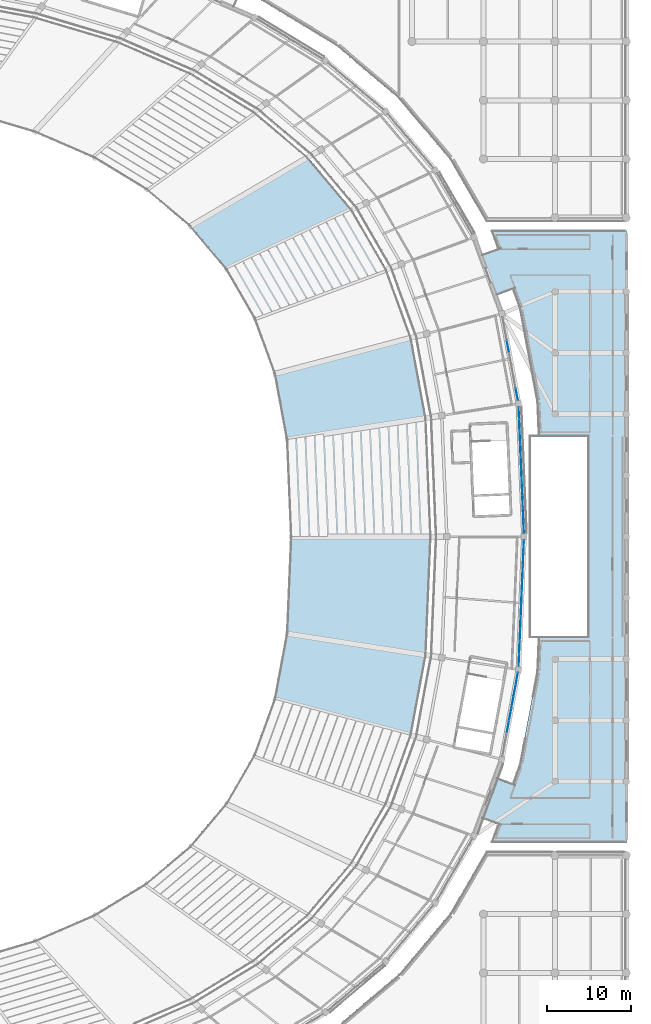
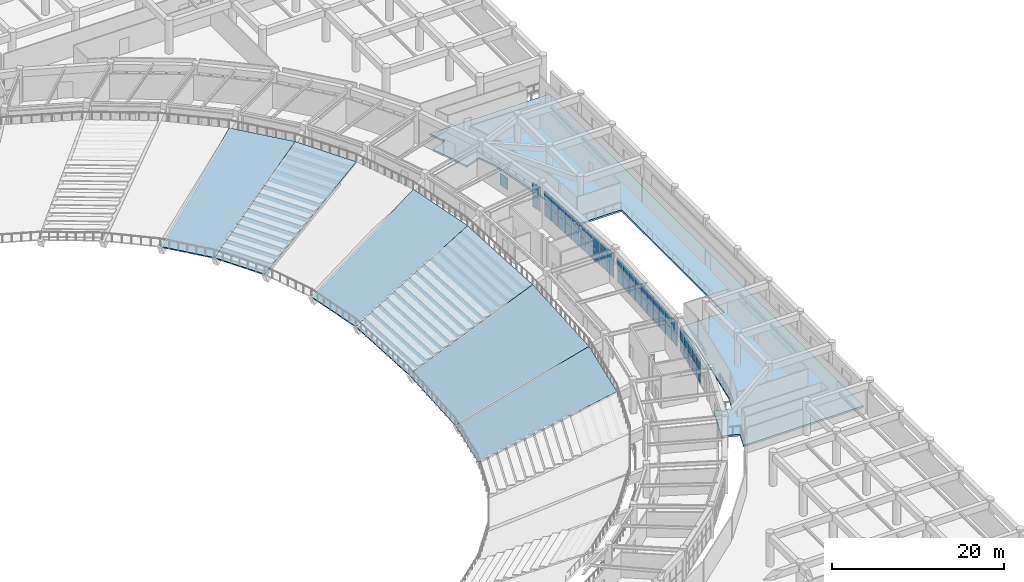
# One storey, part 82 of 137: 53 plates, 7 slabs, 4 elements without a shape of their own.
"""IFC4 building model written with IfcOpenShell, lengths in metres."""

import ifcopenshell
import ifcopenshell.guid

model = None  # the IFC model being written
_history = None  # IfcOwnerHistory: only IFC2X3 demands one
_inside = {}  # id of a spatial element -> (the spatial element, [elements in it])
_under = {}  # id of a project, library or spatial element -> (it, [spatial elements below it])
_declared = {}  # id of a project -> (the project, [libraries it declares])
_typed = {}  # id of a type object -> (the type object, [elements of that type])
_made_of = {}  # id of a material, layer set ... -> (it, [elements and type objects made of it])


def new_model(schema):
    """Start an empty IFC model of exactly this schema.

    Asked for "IFC4X3", IfcOpenShell would pick the latest addendum, in which some entities
    have other attributes; the version numbers below select the first issue.
    IFC2X3 requires an IfcOwnerHistory on every rooted entity: one is made here for all.
    """
    global model, _history
    if schema == "IFC4X3":
        model = ifcopenshell.file(schema_version=(4, 3, 0, 0))
    else:
        model = ifcopenshell.file(schema=schema)
    _inside.clear()
    _under.clear()
    _declared.clear()
    _typed.clear()
    _made_of.clear()
    _history = None
    if model.schema == "IFC2X3":
        org = make("IfcOrganization", Name="unknown")
        user = make(
            "IfcPersonAndOrganization",
            ThePerson=make("IfcPerson", FamilyName="unknown"),
            TheOrganization=org,
        )
        app = make(
            "IfcApplication",
            ApplicationDeveloper=org,
            Version="unknown",
            ApplicationFullName="unknown",
            ApplicationIdentifier="unknown",
        )
        _history = make(
            "IfcOwnerHistory",
            OwningUser=user,
            OwningApplication=app,
            ChangeAction="ADDED",
            CreationDate=0,
        )
    return model


def make(cls, **values):
    """One entity of the class cls with the attributes given. An attribute that is None is left unset."""
    return model.create_entity(
        cls, **{name: value for name, value in values.items() if value is not None}
    )


def rooted(cls, **values):
    """An entity with a GlobalId (a new one), such as an element, a storey or a relation."""
    return make(cls, GlobalId=ifcopenshell.guid.new(), OwnerHistory=_history, **values)


def si_unit(unit_type, name, prefix=None):
    """IfcSIUnit, for example si_unit("LENGTHUNIT", "METRE", prefix="MILLI")."""
    return make("IfcSIUnit", UnitType=unit_type, Prefix=prefix, Name=name)


def assignment(units):
    """IfcUnitAssignment: the units of a project."""
    return None if units is None else make("IfcUnitAssignment", Units=units)


def point(xyz):
    """IfcCartesianPoint."""
    return None if xyz is None else make("IfcCartesianPoint", Coordinates=xyz)


def direction(xyz):
    """IfcDirection."""
    return None if xyz is None else make("IfcDirection", DirectionRatios=xyz)


def frame(location, z_axis=None, x_axis=None):
    """IfcAxis2Placement3D, a coordinate frame: its origin and axes. An axis left out is left unset."""
    return make(
        "IfcAxis2Placement3D",
        Location=point(location),
        Axis=direction(z_axis),
        RefDirection=direction(x_axis),
    )


def frame_2d(location, x_axis=None):
    """IfcAxis2Placement2D, a coordinate frame in the plane: its origin and x axis."""
    return make(
        "IfcAxis2Placement2D", Location=point(location), RefDirection=direction(x_axis)
    )


def origin():
    """The frame at (0, 0, 0) with its axes left unset."""
    return frame((0.0, 0.0, 0.0))


def origin_2d():
    """The frame at (0, 0) in the plane with its x axis left unset."""
    return frame_2d((0.0, 0.0))


def place(relative_to, where):
    """IfcLocalPlacement: puts the frame where relative to a parent placement (None: the world)."""
    return make(
        "IfcLocalPlacement", PlacementRelTo=relative_to, RelativePlacement=where
    )


def context(
    kind, dimensions, precision=None, world=None, true_north=None, identifier=None
):
    """IfcGeometricRepresentationContext, for example the 3D "Model" context."""
    return make(
        "IfcGeometricRepresentationContext",
        ContextIdentifier=identifier,
        ContextType=kind,
        CoordinateSpaceDimension=dimensions,
        Precision=precision,
        WorldCoordinateSystem=world,
        TrueNorth=true_north,
    )


def subcontext(parent, identifier, kind, view, scale=None):
    """IfcGeometricRepresentationSubContext, for example "Body" below "Model"."""
    return make(
        "IfcGeometricRepresentationSubContext",
        ContextIdentifier=identifier,
        ContextType=kind,
        ParentContext=parent,
        TargetScale=scale,
        TargetView=view,
    )


def project(units=None, contexts=None):
    """IfcProject with its units and contexts."""
    return rooted(
        "IfcProject",
        Name="project",
        RepresentationContexts=contexts,
        UnitsInContext=assignment(units),
    )


def spatial(cls, under=None, at=None, **own):
    """A site, building, storey or space (cls), placed at a placement, below another one or the project."""
    s = rooted(cls, ObjectPlacement=at, **own)
    if under is not None:
        _under.setdefault(under.id(), (under, []))[1].append(s)
    return s


def polyline(points):
    """IfcPolyline through the points."""
    return make("IfcPolyline", Points=[point(p) for p in points])


def profile(cls, at=None, kind="AREA", **sizes):
    """A parametric profile (cls). Its sizes go by their IFC names, for example OverallWidth=200.0."""
    return make(cls, ProfileType=kind, Position=at, **sizes)


def rectangle(**sizes):
    """IfcRectangleProfileDef."""
    return profile("IfcRectangleProfileDef", **sizes)


def outline(outer, holes=None, kind="AREA"):
    """IfcArbitraryClosedProfileDef: a profile drawn as a closed curve; with holes, ...WithVoids."""
    if holes is None:
        return make("IfcArbitraryClosedProfileDef", ProfileType=kind, OuterCurve=outer)
    return make(
        "IfcArbitraryProfileDefWithVoids",
        ProfileType=kind,
        OuterCurve=outer,
        InnerCurves=holes,
    )


def extrude(swept, where, along, depth):
    """IfcExtrudedAreaSolid: the profile swept, set in the frame where, extruded along a direction by depth."""
    return make(
        "IfcExtrudedAreaSolid",
        SweptArea=swept,
        Position=where,
        ExtrudedDirection=direction(along),
        Depth=depth,
    )


def shape(context_of_items, identifier, shape_type, items):
    """IfcShapeRepresentation: the items that make up one representation, for example the "Body"."""
    return make(
        "IfcShapeRepresentation",
        ContextOfItems=context_of_items,
        RepresentationIdentifier=identifier,
        RepresentationType=shape_type,
        Items=items,
    )


def material(Name=None, Category=None):
    """IfcMaterial."""
    return make("IfcMaterial", Name=Name, Category=Category)


def layer(
    of_material, thickness, ventilated=None, Name=None, Category=None, Priority=None
):
    """IfcMaterialLayer: one layer of a wall or slab, of a material (None: an air gap)."""
    return make(
        "IfcMaterialLayer",
        Material=of_material,
        LayerThickness=thickness,
        IsVentilated=ventilated,
        Name=Name,
        Category=Category,
        Priority=Priority,
    )


def layer_set(layers, Name=None):
    """IfcMaterialLayerSet."""
    return make("IfcMaterialLayerSet", MaterialLayers=layers, LayerSetName=Name)


def made_of(thing, what):
    """Note that an element or type object is made of a material, layer set ...; save() writes the relation."""
    if what is not None:
        _made_of.setdefault(what.id(), (what, []))[1].append(thing)
    return thing


def type_object(cls, material=None, **own):
    """A type object (cls), such as IfcWallType, which elements share."""
    return made_of(rooted(cls, **own), material)


def element(
    cls,
    number,
    at=None,
    inside=None,
    cuts=None,
    type_object=None,
    material=None,
    context=None,
    identifier="Body",
    shape_type=None,
    held_by="IfcProductDefinitionShape",
    body=None,
    shapes=None,
    **own,
):
    """One element of the class cls, such as IfcWall. Its Tag is "e" and its number.

    at: its placement. inside: the storey or other place that contains it. cuts: it is an
    opening in that element (IfcRelVoidsElement). A single representation is given by context,
    identifier, shape_type and body (its items); several are given by shapes. held_by: the class
    of the entity that holds the representations. save() writes the other relations.
    """
    e = rooted(cls, Tag="e%d" % number, ObjectPlacement=at, **own)
    if body is not None:
        shapes = [shape(context, identifier, shape_type, body)]
    if shapes is not None:
        e.Representation = make(held_by, Representations=shapes)
    if inside is not None:
        _inside.setdefault(inside.id(), (inside, []))[1].append(e)
    if cuts is not None:
        rooted(
            "IfcRelVoidsElement", RelatingBuildingElement=cuts, RelatedOpeningElement=e
        )
    if type_object is not None:
        _typed.setdefault(type_object.id(), (type_object, []))[1].append(e)
    return made_of(e, material)


def aggregate(whole, parts):
    """IfcRelAggregates: a whole, such as a stair, and the parts it consists of."""
    return rooted("IfcRelAggregates", RelatingObject=whole, RelatedObjects=parts)


def save(model, path):
    """Write the relations noted so far, then the file.

    IfcRelAggregates (storeys below a building ...), IfcRelContainedInSpatialStructure (elements
    in a storey), IfcRelDefinesByType, IfcRelAssociatesMaterial and IfcRelDeclares: one each for
    every whole, place, type object, material and project.
    """
    for whole, parts in _under.values():
        aggregate(whole, parts)
    for where, things in _inside.values():
        rooted(
            "IfcRelContainedInSpatialStructure",
            RelatedElements=things,
            RelatingStructure=where,
        )
    for kind, things in _typed.values():
        rooted("IfcRelDefinesByType", RelatedObjects=things, RelatingType=kind)
    for what, things in _made_of.values():
        rooted("IfcRelAssociatesMaterial", RelatedObjects=things, RelatingMaterial=what)
    for by, libraries in _declared.values():
        rooted("IfcRelDeclares", RelatingContext=by, RelatedDefinitions=libraries)
    model.write(path)


model = new_model("IFC4")

# Units and contexts
model_context = context("Model", 3, precision=1e-05, world=origin(), true_north=direction((0.0, 1.0)))
body_context = subcontext(model_context, "Body", "Model", "MODEL_VIEW")
ifc_project = project(units=[si_unit("LENGTHUNIT", "METRE"), si_unit("AREAUNIT", "SQUARE_METRE"), si_unit("VOLUMEUNIT", "CUBIC_METRE"), si_unit("PLANEANGLEUNIT", "RADIAN"), si_unit("MASSUNIT", "GRAM", prefix="KILO")], contexts=[model_context])

# Site, building, storey
site_placement = place(None, origin())
site = spatial("IfcSite", under=ifc_project, at=site_placement, CompositionType="ELEMENT")
building_placement = place(site_placement, origin())
building = spatial("IfcBuilding", under=site, at=building_placement, Name="Mphavela Belvedere Stadium", CompositionType="ELEMENT")
storey_placement = place(building_placement, frame((0.0, 0.0, 19.199951171875)))
storey = spatial("IfcBuildingStorey", under=building, at=storey_placement, Name="L04", CompositionType="ELEMENT", Elevation=19.199951171875)

# Curtain wall, plates
ifc_material_1 = material(Name="Anodised bronze unitised curtain wall framing")
ifc_layer_1 = layer(ifc_material_1, 0.199951171875)
ifc_layer_set_1 = layer_set([ifc_layer_1], Name="Anodised bronze unitised curtain wall framing")
curtain_wall_type_1 = type_object("IfcCurtainWallType", Name="CW-UNIT-05", PredefinedType="USERDEFINED", material=ifc_layer_set_1)
curtain_wall_1_placement = place(storey_placement, origin())
curtain_wall_1 = element("IfcCurtainWall", 1, at=curtain_wall_1_placement, inside=storey, type_object=curtain_wall_type_1, Name="Belvedere colonnade curtain wall L04-01", ObjectType="UNITISED CURTAIN WALL", PredefinedType="USERDEFINED")
ifc_material_2 = material(Name="Solar-control double glazing", Category="glass")
ifc_layer_2 = layer(ifc_material_2, 0.031982421875)
ifc_layer_set_2 = layer_set([ifc_layer_2], Name="Solar-control double glazing")
plate_type = type_object("IfcPlateType", Name="CWP-SOLAR-GLASS", PredefinedType="CURTAIN_PANEL", material=ifc_layer_set_2)
plate_1_placement = place(storey_placement, frame((217.77294921875, 88.121337890625, 0.06005859375), z_axis=(0.0, 0.0, 1.0), x_axis=(-0.041904860066, 0.999121605563, 0.0)))
plate_1 = element("IfcPlate", 2, at=plate_1_placement, type_object=plate_type, Name="CW-05 panel 1.1", PredefinedType="CURTAIN_PANEL", context=body_context, shape_type="SweptSolid", body=[
    extrude(rectangle(XDim=1.418701171875, YDim=0.031982421875, at=origin_2d()), origin(), (0.0, 0.0, 1.0), 1.695068359375),
])
plate_2_placement = place(storey_placement, frame((217.77294921875, 88.121337890625, 1.81494140625), z_axis=(0.0, 0.0, 1.0), x_axis=(-0.041904860066, 0.999121605563, 0.0)))
plate_2 = element("IfcPlate", 3, at=plate_2_placement, type_object=plate_type, Name="CW-05 panel 1.2", PredefinedType="CURTAIN_PANEL", context=body_context, shape_type="SweptSolid", body=[
    extrude(rectangle(XDim=1.418701171875, YDim=0.031982421875, at=origin_2d()), origin(), (0.0, 0.0, 1.0), 1.695068359375),
])
plate_3_placement = place(storey_placement, frame((217.710205078125, 89.6201171875, 0.06005859375), z_axis=(0.0, 0.0, 1.0), x_axis=(-0.041904860066, 0.999121605563, 0.0)))
plate_3 = element("IfcPlate", 4, at=plate_3_placement, type_object=plate_type, Name="CW-05 panel 2.1", PredefinedType="CURTAIN_PANEL", context=body_context, shape_type="SweptSolid", body=[
    extrude(rectangle(XDim=1.451171875, YDim=0.031982421875, at=origin_2d()), origin(), (0.0, 0.0, 1.0), 1.695068359375),
])
plate_4_placement = place(storey_placement, frame((217.710205078125, 89.6201171875, 1.81494140625), z_axis=(0.0, 0.0, 1.0), x_axis=(-0.041904860066, 0.999121605563, 0.0)))
plate_4 = element("IfcPlate", 5, at=plate_4_placement, type_object=plate_type, Name="CW-05 panel 2.2", PredefinedType="CURTAIN_PANEL", context=body_context, shape_type="SweptSolid", body=[
    extrude(rectangle(XDim=1.451171875, YDim=0.031982421875, at=origin_2d()), origin(), (0.0, 0.0, 1.0), 1.695068359375),
])
plate_5_placement = place(storey_placement, frame((217.646484375, 91.135009765625, 0.06005859375), z_axis=(0.0, 0.0, 1.0), x_axis=(-0.041904860066, 0.999121605563, 0.0)))
plate_5 = element("IfcPlate", 6, at=plate_5_placement, type_object=plate_type, Name="CW-05 panel 3.1", PredefinedType="CURTAIN_PANEL", context=body_context, shape_type="SweptSolid", body=[
    extrude(rectangle(XDim=1.451171875, YDim=0.031982421875, at=origin_2d()), origin(), (0.0, 0.0, 1.0), 1.695068359375),
])
plate_6_placement = place(storey_placement, frame((217.646484375, 91.135009765625, 1.81494140625), z_axis=(0.0, 0.0, 1.0), x_axis=(-0.041904860066, 0.999121605563, 0.0)))
plate_6 = element("IfcPlate", 7, at=plate_6_placement, type_object=plate_type, Name="CW-05 panel 3.2", PredefinedType="CURTAIN_PANEL", context=body_context, shape_type="SweptSolid", body=[
    extrude(rectangle(XDim=1.451171875, YDim=0.031982421875, at=origin_2d()), origin(), (0.0, 0.0, 1.0), 1.695068359375),
])
plate_7_placement = place(storey_placement, frame((217.5830078125, 92.650146484375, 0.06005859375), z_axis=(0.0, 0.0, 1.0), x_axis=(-0.041904860066, 0.999121605563, 0.0)))
plate_7 = element("IfcPlate", 8, at=plate_7_placement, type_object=plate_type, Name="CW-05 panel 4.1", PredefinedType="CURTAIN_PANEL", context=body_context, shape_type="SweptSolid", body=[
    extrude(rectangle(XDim=1.451171875, YDim=0.031982421875, at=origin_2d()), origin(), (0.0, 0.0, 1.0), 1.695068359375),
])
plate_8_placement = place(storey_placement, frame((217.5830078125, 92.650146484375, 1.81494140625), z_axis=(0.0, 0.0, 1.0), x_axis=(-0.041904860066, 0.999121605563, 0.0)))
plate_8 = element("IfcPlate", 9, at=plate_8_placement, type_object=plate_type, Name="CW-05 panel 4.2", PredefinedType="CURTAIN_PANEL", context=body_context, shape_type="SweptSolid", body=[
    extrude(rectangle(XDim=1.451171875, YDim=0.031982421875, at=origin_2d()), origin(), (0.0, 0.0, 1.0), 1.695068359375),
])
plate_9_placement = place(storey_placement, frame((217.51953125, 94.1650390625, 0.06005859375), z_axis=(0.0, 0.0, 1.0), x_axis=(-0.041904860066, 0.999121605563, 0.0)))
plate_9 = element("IfcPlate", 10, at=plate_9_placement, type_object=plate_type, Name="CW-05 panel 5.1", PredefinedType="CURTAIN_PANEL", context=body_context, shape_type="SweptSolid", body=[
    extrude(rectangle(XDim=1.451171875, YDim=0.031982421875, at=origin_2d()), origin(), (0.0, 0.0, 1.0), 1.695068359375),
])
plate_10_placement = place(storey_placement, frame((217.51953125, 94.1650390625, 1.81494140625), z_axis=(0.0, 0.0, 1.0), x_axis=(-0.041904860066, 0.999121605563, 0.0)))
plate_10 = element("IfcPlate", 11, at=plate_10_placement, type_object=plate_type, Name="CW-05 panel 5.2", PredefinedType="CURTAIN_PANEL", context=body_context, shape_type="SweptSolid", body=[
    extrude(rectangle(XDim=1.451171875, YDim=0.031982421875, at=origin_2d()), origin(), (0.0, 0.0, 1.0), 1.695068359375),
])
plate_11_placement = place(storey_placement, frame((217.455810546875, 95.679931640625, 0.06005859375), z_axis=(0.0, 0.0, 1.0), x_axis=(-0.041904860066, 0.999121605563, 0.0)))
plate_11 = element("IfcPlate", 12, at=plate_11_placement, type_object=plate_type, Name="CW-05 panel 6.1", PredefinedType="CURTAIN_PANEL", context=body_context, shape_type="SweptSolid", body=[
    extrude(rectangle(XDim=1.451171875, YDim=0.031982421875, at=origin_2d()), origin(), (0.0, 0.0, 1.0), 1.695068359375),
])
plate_12_placement = place(storey_placement, frame((217.455810546875, 95.679931640625, 1.81494140625), z_axis=(0.0, 0.0, 1.0), x_axis=(-0.041904860066, 0.999121605563, 0.0)))
plate_12 = element("IfcPlate", 13, at=plate_12_placement, type_object=plate_type, Name="CW-05 panel 6.2", PredefinedType="CURTAIN_PANEL", context=body_context, shape_type="SweptSolid", body=[
    extrude(rectangle(XDim=1.451171875, YDim=0.031982421875, at=origin_2d()), origin(), (0.0, 0.0, 1.0), 1.695068359375),
])
plate_13_placement = place(storey_placement, frame((217.392333984375, 97.19482421875, 0.06005859375), z_axis=(0.0, 0.0, 1.0), x_axis=(-0.041904860066, 0.999121605563, 0.0)))
plate_13 = element("IfcPlate", 14, at=plate_13_placement, type_object=plate_type, Name="CW-05 panel 7.1", PredefinedType="CURTAIN_PANEL", context=body_context, shape_type="SweptSolid", body=[
    extrude(rectangle(XDim=1.451171875, YDim=0.031982421875, at=origin_2d()), origin(), (0.0, 0.0, 1.0), 1.695068359375),
])
plate_14_placement = place(storey_placement, frame((217.392333984375, 97.19482421875, 1.81494140625), z_axis=(0.0, 0.0, 1.0), x_axis=(-0.041904860066, 0.999121605563, 0.0)))
plate_14 = element("IfcPlate", 15, at=plate_14_placement, type_object=plate_type, Name="CW-05 panel 7.2", PredefinedType="CURTAIN_PANEL", context=body_context, shape_type="SweptSolid", body=[
    extrude(rectangle(XDim=1.451171875, YDim=0.031982421875, at=origin_2d()), origin(), (0.0, 0.0, 1.0), 1.695068359375),
])
plate_15_placement = place(storey_placement, frame((217.328857421875, 98.7099609375, 0.06005859375), z_axis=(0.0, 0.0, 1.0), x_axis=(-0.041904860066, 0.999121605563, 0.0)))
plate_15 = element("IfcPlate", 16, at=plate_15_placement, type_object=plate_type, Name="CW-05 panel 8.1", PredefinedType="CURTAIN_PANEL", context=body_context, shape_type="SweptSolid", body=[
    extrude(rectangle(XDim=1.451171875, YDim=0.031982421875, at=origin_2d()), origin(), (0.0, 0.0, 1.0), 1.695068359375),
])
plate_16_placement = place(storey_placement, frame((217.328857421875, 98.7099609375, 1.81494140625), z_axis=(0.0, 0.0, 1.0), x_axis=(-0.041904860066, 0.999121605563, 0.0)))
plate_16 = element("IfcPlate", 17, at=plate_16_placement, type_object=plate_type, Name="CW-05 panel 8.2", PredefinedType="CURTAIN_PANEL", context=body_context, shape_type="SweptSolid", body=[
    extrude(rectangle(XDim=1.451171875, YDim=0.031982421875, at=origin_2d()), origin(), (0.0, 0.0, 1.0), 1.695068359375),
])
plate_17_placement = place(storey_placement, frame((217.265380859375, 100.224853515625, 0.06005859375), z_axis=(0.0, 0.0, 1.0), x_axis=(-0.041904860066, 0.999121605563, 0.0)))
plate_17 = element("IfcPlate", 18, at=plate_17_placement, type_object=plate_type, Name="CW-05 panel 9.1", PredefinedType="CURTAIN_PANEL", context=body_context, shape_type="SweptSolid", body=[
    extrude(rectangle(XDim=1.451171875, YDim=0.031982421875, at=origin_2d()), origin(), (0.0, 0.0, 1.0), 1.695068359375),
])
plate_18_placement = place(storey_placement, frame((217.265380859375, 100.224853515625, 1.81494140625), z_axis=(0.0, 0.0, 1.0), x_axis=(-0.041904860066, 0.999121605563, 0.0)))
plate_18 = element("IfcPlate", 19, at=plate_18_placement, type_object=plate_type, Name="CW-05 panel 9.2", PredefinedType="CURTAIN_PANEL", context=body_context, shape_type="SweptSolid", body=[
    extrude(rectangle(XDim=1.451171875, YDim=0.031982421875, at=origin_2d()), origin(), (0.0, 0.0, 1.0), 1.695068359375),
])
plate_19_placement = place(storey_placement, frame((217.202392578125, 101.7236328125, 0.06005859375), z_axis=(0.0, 0.0, 1.0), x_axis=(-0.041904860066, 0.999121605563, 0.0)))
plate_19 = element("IfcPlate", 20, at=plate_19_placement, type_object=plate_type, Name="CW-05 panel 10.1", PredefinedType="CURTAIN_PANEL", context=body_context, shape_type="SweptSolid", body=[
    extrude(rectangle(XDim=1.418701171875, YDim=0.031982421875, at=origin_2d()), origin(), (0.0, 0.0, 1.0), 1.695068359375),
])
plate_20_placement = place(storey_placement, frame((217.202392578125, 101.7236328125, 1.81494140625), z_axis=(0.0, 0.0, 1.0), x_axis=(-0.041904860066, 0.999121605563, 0.0)))
plate_20 = element("IfcPlate", 21, at=plate_20_placement, type_object=plate_type, Name="CW-05 panel 10.2", PredefinedType="CURTAIN_PANEL", context=body_context, shape_type="SweptSolid", body=[
    extrude(rectangle(XDim=1.418701171875, YDim=0.031982421875, at=origin_2d()), origin(), (0.0, 0.0, 1.0), 1.695068359375),
])
aggregate(curtain_wall_1, [plate_1, plate_2, plate_3, plate_4, plate_5, plate_6, plate_7, plate_8, plate_9, plate_10, plate_11, plate_12, plate_13, plate_14, plate_15, plate_16, plate_17, plate_18, plate_19, plate_20])

ifc_material_3 = material(Name="Anodised bronze unitised curtain wall framing")
ifc_layer_3 = layer(ifc_material_3, 0.205078125)
ifc_layer_set_3 = layer_set([ifc_layer_3], Name="Anodised bronze unitised curtain wall framing")
curtain_wall_type_2 = type_object("IfcCurtainWallType", Name="CW-UNIT-06", PredefinedType="USERDEFINED", material=ifc_layer_set_3)
curtain_wall_2_placement = place(storey_placement, origin())
curtain_wall_2 = element("IfcCurtainWall", 22, at=curtain_wall_2_placement, inside=storey, type_object=curtain_wall_type_2, Name="Belvedere colonnade curtain wall L04-02", ObjectType="UNITISED CURTAIN WALL", PredefinedType="USERDEFINED")
plate_21_placement = place(storey_placement, frame((216.955810546875, 103.919677734375, 0.06005859375), z_axis=(0.0, 0.0, 1.0), x_axis=(-0.182618040183, 0.98318393569, 0.0)))
plate_21 = element("IfcPlate", 23, at=plate_21_placement, type_object=plate_type, Name="CW-06 panel 1.1", PredefinedType="CURTAIN_PANEL", context=body_context, shape_type="SweptSolid", body=[
    extrude(rectangle(XDim=1.3603515625, YDim=0.031982421875, at=origin_2d()), origin(), (0.0, 0.0, 1.0), 1.695068359375),
])
plate_22_placement = place(storey_placement, frame((216.955810546875, 103.919677734375, 1.81494140625), z_axis=(0.0, 0.0, 1.0), x_axis=(-0.182618040183, 0.98318393569, 0.0)))
plate_22 = element("IfcPlate", 24, at=plate_22_placement, type_object=plate_type, Name="CW-06 panel 1.2", PredefinedType="CURTAIN_PANEL", context=body_context, shape_type="SweptSolid", body=[
    extrude(rectangle(XDim=1.3603515625, YDim=0.031982421875, at=origin_2d()), origin(), (0.0, 0.0, 1.0), 1.695068359375),
])
plate_23_placement = place(storey_placement, frame((215.893798828125, 109.636962890625, 0.06005859375), z_axis=(0.0, 0.0, 1.0), x_axis=(-0.182618040183, 0.98318393569, 0.0)))
plate_23 = element("IfcPlate", 25, at=plate_23_placement, type_object=plate_type, Name="CW-06 panel 5.1", PredefinedType="CURTAIN_PANEL", context=body_context, shape_type="SweptSolid", body=[
    extrude(rectangle(XDim=1.392822265625, YDim=0.031982421875, at=origin_2d()), origin(), (0.0, 0.0, 1.0), 1.695068359375),
])
aggregate(curtain_wall_2, [plate_21, plate_22, plate_23])

ifc_material_4 = material(Name="Anodised bronze unitised curtain wall framing")
ifc_layer_4 = layer(ifc_material_4, 0.18994140625)
ifc_layer_set_4 = layer_set([ifc_layer_4], Name="Anodised bronze unitised curtain wall framing")
curtain_wall_type_3 = type_object("IfcCurtainWallType", Name="CW-UNIT-03", PredefinedType="USERDEFINED", material=ifc_layer_set_4)
curtain_wall_3_placement = place(storey_placement, origin())
curtain_wall_3 = element("IfcCurtainWall", 26, at=curtain_wall_3_placement, inside=storey, type_object=curtain_wall_type_3, Name="Belvedere colonnade curtain wall L04-47", ObjectType="UNITISED CURTAIN WALL", PredefinedType="USERDEFINED")
plate_24_placement = place(storey_placement, frame((215.893798828125, 64.363037109375, 0.06005859375), z_axis=(0.0, 0.0, 1.0), x_axis=(0.182618040183, 0.98318393569, 0.0)))
plate_24 = element("IfcPlate", 27, at=plate_24_placement, type_object=plate_type, Name="CW-03 panel 3.1", PredefinedType="CURTAIN_PANEL", context=body_context, shape_type="SweptSolid", body=[
    extrude(rectangle(XDim=1.392822265625, YDim=0.031982421875, at=origin_2d()), origin(), (0.0, 0.0, 1.0), 1.695068359375),
])
plate_25_placement = place(storey_placement, frame((215.893798828125, 64.363037109375, 1.81494140625), z_axis=(0.0, 0.0, 1.0), x_axis=(0.182618040183, 0.98318393569, 0.0)))
plate_25 = element("IfcPlate", 28, at=plate_25_placement, type_object=plate_type, Name="CW-03 panel 3.2", PredefinedType="CURTAIN_PANEL", context=body_context, shape_type="SweptSolid", body=[
    extrude(rectangle(XDim=1.392822265625, YDim=0.031982421875, at=origin_2d()), origin(), (0.0, 0.0, 1.0), 1.695068359375),
])
plate_26_placement = place(storey_placement, frame((216.159912109375, 65.796142578125, 0.06005859375), z_axis=(0.0, 0.0, 1.0), x_axis=(0.182618040183, 0.98318393569, 0.0)))
plate_26 = element("IfcPlate", 29, at=plate_26_placement, type_object=plate_type, Name="CW-03 panel 4.1", PredefinedType="CURTAIN_PANEL", context=body_context, shape_type="SweptSolid", body=[
    extrude(rectangle(XDim=1.392822265625, YDim=0.031982421875, at=origin_2d()), origin(), (0.0, 0.0, 1.0), 1.695068359375),
])
plate_27_placement = place(storey_placement, frame((216.159912109375, 65.796142578125, 1.81494140625), z_axis=(0.0, 0.0, 1.0), x_axis=(0.182618040183, 0.98318393569, 0.0)))
plate_27 = element("IfcPlate", 30, at=plate_27_placement, type_object=plate_type, Name="CW-03 panel 4.2", PredefinedType="CURTAIN_PANEL", context=body_context, shape_type="SweptSolid", body=[
    extrude(rectangle(XDim=1.392822265625, YDim=0.031982421875, at=origin_2d()), origin(), (0.0, 0.0, 1.0), 1.695068359375),
])
plate_28_placement = place(storey_placement, frame((216.42626953125, 67.2294921875, 0.06005859375), z_axis=(0.0, 0.0, 1.0), x_axis=(0.182618040183, 0.98318393569, 0.0)))
plate_28 = element("IfcPlate", 31, at=plate_28_placement, type_object=plate_type, Name="CW-03 panel 5.1", PredefinedType="CURTAIN_PANEL", context=body_context, shape_type="SweptSolid", body=[
    extrude(rectangle(XDim=1.392822265625, YDim=0.031982421875, at=origin_2d()), origin(), (0.0, 0.0, 1.0), 1.695068359375),
])
plate_29_placement = place(storey_placement, frame((216.42626953125, 67.2294921875, 1.81494140625), z_axis=(0.0, 0.0, 1.0), x_axis=(0.182618040183, 0.98318393569, 0.0)))
plate_29 = element("IfcPlate", 32, at=plate_29_placement, type_object=plate_type, Name="CW-03 panel 5.2", PredefinedType="CURTAIN_PANEL", context=body_context, shape_type="SweptSolid", body=[
    extrude(rectangle(XDim=1.392822265625, YDim=0.031982421875, at=origin_2d()), origin(), (0.0, 0.0, 1.0), 1.695068359375),
])
plate_30_placement = place(storey_placement, frame((216.6923828125, 68.662841796875, 0.06005859375), z_axis=(0.0, 0.0, 1.0), x_axis=(0.182618040183, 0.98318393569, 0.0)))
plate_30 = element("IfcPlate", 33, at=plate_30_placement, type_object=plate_type, Name="CW-03 panel 6.1", PredefinedType="CURTAIN_PANEL", context=body_context, shape_type="SweptSolid", body=[
    extrude(rectangle(XDim=1.392822265625, YDim=0.031982421875, at=origin_2d()), origin(), (0.0, 0.0, 1.0), 1.695068359375),
])
plate_31_placement = place(storey_placement, frame((216.6923828125, 68.662841796875, 1.81494140625), z_axis=(0.0, 0.0, 1.0), x_axis=(0.182618040183, 0.98318393569, 0.0)))
plate_31 = element("IfcPlate", 34, at=plate_31_placement, type_object=plate_type, Name="CW-03 panel 6.2", PredefinedType="CURTAIN_PANEL", context=body_context, shape_type="SweptSolid", body=[
    extrude(rectangle(XDim=1.392822265625, YDim=0.031982421875, at=origin_2d()), origin(), (0.0, 0.0, 1.0), 1.695068359375),
])
plate_32_placement = place(storey_placement, frame((216.955810546875, 70.080322265625, 0.06005859375), z_axis=(0.0, 0.0, 1.0), x_axis=(0.182618040183, 0.98318393569, 0.0)))
plate_32 = element("IfcPlate", 35, at=plate_32_placement, type_object=plate_type, Name="CW-03 panel 7.1", PredefinedType="CURTAIN_PANEL", context=body_context, shape_type="SweptSolid", body=[
    extrude(rectangle(XDim=1.3603515625, YDim=0.031982421875, at=origin_2d()), origin(), (0.0, 0.0, 1.0), 1.695068359375),
])
plate_33_placement = place(storey_placement, frame((216.955810546875, 70.080322265625, 1.81494140625), z_axis=(0.0, 0.0, 1.0), x_axis=(0.182618040183, 0.98318393569, 0.0)))
plate_33 = element("IfcPlate", 36, at=plate_33_placement, type_object=plate_type, Name="CW-03 panel 7.2", PredefinedType="CURTAIN_PANEL", context=body_context, shape_type="SweptSolid", body=[
    extrude(rectangle(XDim=1.3603515625, YDim=0.031982421875, at=origin_2d()), origin(), (0.0, 0.0, 1.0), 1.695068359375),
])
aggregate(curtain_wall_3, [plate_24, plate_25, plate_26, plate_27, plate_28, plate_29, plate_30, plate_31, plate_32, plate_33])

ifc_material_5 = material(Name="Anodised bronze unitised curtain wall framing")
ifc_layer_5 = layer(ifc_material_5, 0.195068359375)
ifc_layer_set_5 = layer_set([ifc_layer_5], Name="Anodised bronze unitised curtain wall framing")
curtain_wall_type_4 = type_object("IfcCurtainWallType", Name="CW-UNIT-04", PredefinedType="USERDEFINED", material=ifc_layer_set_5)
curtain_wall_4_placement = place(storey_placement, origin())
curtain_wall_4 = element("IfcCurtainWall", 37, at=curtain_wall_4_placement, inside=storey, type_object=curtain_wall_type_4, Name="Belvedere colonnade curtain wall L04-48", ObjectType="UNITISED CURTAIN WALL", PredefinedType="USERDEFINED")
plate_34_placement = place(storey_placement, frame((217.202392578125, 72.2763671875, 0.06005859375), z_axis=(0.0, 0.0, 1.0), x_axis=(0.041904860066, 0.999121605563, 0.0)))
plate_34 = element("IfcPlate", 38, at=plate_34_placement, type_object=plate_type, Name="CW-04 panel 1.1", PredefinedType="CURTAIN_PANEL", context=body_context, shape_type="SweptSolid", body=[
    extrude(rectangle(XDim=1.418701171875, YDim=0.031982421875, at=origin_2d()), origin(), (0.0, 0.0, 1.0), 1.695068359375),
])
plate_35_placement = place(storey_placement, frame((217.202392578125, 72.2763671875, 1.81494140625), z_axis=(0.0, 0.0, 1.0), x_axis=(0.041904860066, 0.999121605563, 0.0)))
plate_35 = element("IfcPlate", 39, at=plate_35_placement, type_object=plate_type, Name="CW-04 panel 1.2", PredefinedType="CURTAIN_PANEL", context=body_context, shape_type="SweptSolid", body=[
    extrude(rectangle(XDim=1.418701171875, YDim=0.031982421875, at=origin_2d()), origin(), (0.0, 0.0, 1.0), 1.695068359375),
])
plate_36_placement = place(storey_placement, frame((217.265380859375, 73.775146484375, 0.06005859375), z_axis=(0.0, 0.0, 1.0), x_axis=(0.041904860066, 0.999121605563, 0.0)))
plate_36 = element("IfcPlate", 40, at=plate_36_placement, type_object=plate_type, Name="CW-04 panel 2.1", PredefinedType="CURTAIN_PANEL", context=body_context, shape_type="SweptSolid", body=[
    extrude(rectangle(XDim=1.451171875, YDim=0.031982421875, at=origin_2d()), origin(), (0.0, 0.0, 1.0), 1.695068359375),
])
plate_37_placement = place(storey_placement, frame((217.265380859375, 73.775146484375, 1.81494140625), z_axis=(0.0, 0.0, 1.0), x_axis=(0.041904860066, 0.999121605563, 0.0)))
plate_37 = element("IfcPlate", 41, at=plate_37_placement, type_object=plate_type, Name="CW-04 panel 2.2", PredefinedType="CURTAIN_PANEL", context=body_context, shape_type="SweptSolid", body=[
    extrude(rectangle(XDim=1.451171875, YDim=0.031982421875, at=origin_2d()), origin(), (0.0, 0.0, 1.0), 1.695068359375),
])
plate_38_placement = place(storey_placement, frame((217.328857421875, 75.2900390625, 0.06005859375), z_axis=(0.0, 0.0, 1.0), x_axis=(0.041904860066, 0.999121605563, 0.0)))
plate_38 = element("IfcPlate", 42, at=plate_38_placement, type_object=plate_type, Name="CW-04 panel 3.1", PredefinedType="CURTAIN_PANEL", context=body_context, shape_type="SweptSolid", body=[
    extrude(rectangle(XDim=1.451171875, YDim=0.031982421875, at=origin_2d()), origin(), (0.0, 0.0, 1.0), 1.695068359375),
])
plate_39_placement = place(storey_placement, frame((217.328857421875, 75.2900390625, 1.81494140625), z_axis=(0.0, 0.0, 1.0), x_axis=(0.041904860066, 0.999121605563, 0.0)))
plate_39 = element("IfcPlate", 43, at=plate_39_placement, type_object=plate_type, Name="CW-04 panel 3.2", PredefinedType="CURTAIN_PANEL", context=body_context, shape_type="SweptSolid", body=[
    extrude(rectangle(XDim=1.451171875, YDim=0.031982421875, at=origin_2d()), origin(), (0.0, 0.0, 1.0), 1.695068359375),
])
plate_40_placement = place(storey_placement, frame((217.392333984375, 76.80517578125, 0.06005859375), z_axis=(0.0, 0.0, 1.0), x_axis=(0.041904860066, 0.999121605563, 0.0)))
plate_40 = element("IfcPlate", 44, at=plate_40_placement, type_object=plate_type, Name="CW-04 panel 4.1", PredefinedType="CURTAIN_PANEL", context=body_context, shape_type="SweptSolid", body=[
    extrude(rectangle(XDim=1.451171875, YDim=0.031982421875, at=origin_2d()), origin(), (0.0, 0.0, 1.0), 1.695068359375),
])
plate_41_placement = place(storey_placement, frame((217.392333984375, 76.80517578125, 1.81494140625), z_axis=(0.0, 0.0, 1.0), x_axis=(0.041904860066, 0.999121605563, 0.0)))
plate_41 = element("IfcPlate", 45, at=plate_41_placement, type_object=plate_type, Name="CW-04 panel 4.2", PredefinedType="CURTAIN_PANEL", context=body_context, shape_type="SweptSolid", body=[
    extrude(rectangle(XDim=1.451171875, YDim=0.031982421875, at=origin_2d()), origin(), (0.0, 0.0, 1.0), 1.695068359375),
])
plate_42_placement = place(storey_placement, frame((217.455810546875, 78.320068359375, 0.06005859375), z_axis=(0.0, 0.0, 1.0), x_axis=(0.041904860066, 0.999121605563, 0.0)))
plate_42 = element("IfcPlate", 46, at=plate_42_placement, type_object=plate_type, Name="CW-04 panel 5.1", PredefinedType="CURTAIN_PANEL", context=body_context, shape_type="SweptSolid", body=[
    extrude(rectangle(XDim=1.451171875, YDim=0.031982421875, at=origin_2d()), origin(), (0.0, 0.0, 1.0), 1.695068359375),
])
plate_43_placement = place(storey_placement, frame((217.455810546875, 78.320068359375, 1.81494140625), z_axis=(0.0, 0.0, 1.0), x_axis=(0.041904860066, 0.999121605563, 0.0)))
plate_43 = element("IfcPlate", 47, at=plate_43_placement, type_object=plate_type, Name="CW-04 panel 5.2", PredefinedType="CURTAIN_PANEL", context=body_context, shape_type="SweptSolid", body=[
    extrude(rectangle(XDim=1.451171875, YDim=0.031982421875, at=origin_2d()), origin(), (0.0, 0.0, 1.0), 1.695068359375),
])
plate_44_placement = place(storey_placement, frame((217.51953125, 79.8349609375, 0.06005859375), z_axis=(0.0, 0.0, 1.0), x_axis=(0.041904860066, 0.999121605563, 0.0)))
plate_44 = element("IfcPlate", 48, at=plate_44_placement, type_object=plate_type, Name="CW-04 panel 6.1", PredefinedType="CURTAIN_PANEL", context=body_context, shape_type="SweptSolid", body=[
    extrude(rectangle(XDim=1.451171875, YDim=0.031982421875, at=origin_2d()), origin(), (0.0, 0.0, 1.0), 1.695068359375),
])
plate_45_placement = place(storey_placement, frame((217.51953125, 79.8349609375, 1.81494140625), z_axis=(0.0, 0.0, 1.0), x_axis=(0.041904860066, 0.999121605563, 0.0)))
plate_45 = element("IfcPlate", 49, at=plate_45_placement, type_object=plate_type, Name="CW-04 panel 6.2", PredefinedType="CURTAIN_PANEL", context=body_context, shape_type="SweptSolid", body=[
    extrude(rectangle(XDim=1.451171875, YDim=0.031982421875, at=origin_2d()), origin(), (0.0, 0.0, 1.0), 1.695068359375),
])
plate_46_placement = place(storey_placement, frame((217.5830078125, 81.349853515625, 0.06005859375), z_axis=(0.0, 0.0, 1.0), x_axis=(0.041904860066, 0.999121605563, 0.0)))
plate_46 = element("IfcPlate", 50, at=plate_46_placement, type_object=plate_type, Name="CW-04 panel 7.1", PredefinedType="CURTAIN_PANEL", context=body_context, shape_type="SweptSolid", body=[
    extrude(rectangle(XDim=1.451171875, YDim=0.031982421875, at=origin_2d()), origin(), (0.0, 0.0, 1.0), 1.695068359375),
])
plate_47_placement = place(storey_placement, frame((217.5830078125, 81.349853515625, 1.81494140625), z_axis=(0.0, 0.0, 1.0), x_axis=(0.041904860066, 0.999121605563, 0.0)))
plate_47 = element("IfcPlate", 51, at=plate_47_placement, type_object=plate_type, Name="CW-04 panel 7.2", PredefinedType="CURTAIN_PANEL", context=body_context, shape_type="SweptSolid", body=[
    extrude(rectangle(XDim=1.451171875, YDim=0.031982421875, at=origin_2d()), origin(), (0.0, 0.0, 1.0), 1.695068359375),
])
plate_48_placement = place(storey_placement, frame((217.646484375, 82.864990234375, 0.06005859375), z_axis=(0.0, 0.0, 1.0), x_axis=(0.041904860066, 0.999121605563, 0.0)))
plate_48 = element("IfcPlate", 52, at=plate_48_placement, type_object=plate_type, Name="CW-04 panel 8.1", PredefinedType="CURTAIN_PANEL", context=body_context, shape_type="SweptSolid", body=[
    extrude(rectangle(XDim=1.451171875, YDim=0.031982421875, at=origin_2d()), origin(), (0.0, 0.0, 1.0), 1.695068359375),
])
plate_49_placement = place(storey_placement, frame((217.646484375, 82.864990234375, 1.81494140625), z_axis=(0.0, 0.0, 1.0), x_axis=(0.041904860066, 0.999121605563, 0.0)))
plate_49 = element("IfcPlate", 53, at=plate_49_placement, type_object=plate_type, Name="CW-04 panel 8.2", PredefinedType="CURTAIN_PANEL", context=body_context, shape_type="SweptSolid", body=[
    extrude(rectangle(XDim=1.451171875, YDim=0.031982421875, at=origin_2d()), origin(), (0.0, 0.0, 1.0), 1.695068359375),
])
plate_50_placement = place(storey_placement, frame((217.710205078125, 84.3798828125, 0.06005859375), z_axis=(0.0, 0.0, 1.0), x_axis=(0.041904860066, 0.999121605563, 0.0)))
plate_50 = element("IfcPlate", 54, at=plate_50_placement, type_object=plate_type, Name="CW-04 panel 9.1", PredefinedType="CURTAIN_PANEL", context=body_context, shape_type="SweptSolid", body=[
    extrude(rectangle(XDim=1.451171875, YDim=0.031982421875, at=origin_2d()), origin(), (0.0, 0.0, 1.0), 1.695068359375),
])
plate_51_placement = place(storey_placement, frame((217.710205078125, 84.3798828125, 1.81494140625), z_axis=(0.0, 0.0, 1.0), x_axis=(0.041904860066, 0.999121605563, 0.0)))
plate_51 = element("IfcPlate", 55, at=plate_51_placement, type_object=plate_type, Name="CW-04 panel 9.2", PredefinedType="CURTAIN_PANEL", context=body_context, shape_type="SweptSolid", body=[
    extrude(rectangle(XDim=1.451171875, YDim=0.031982421875, at=origin_2d()), origin(), (0.0, 0.0, 1.0), 1.695068359375),
])
plate_52_placement = place(storey_placement, frame((217.77294921875, 85.878662109375, 0.06005859375), z_axis=(0.0, 0.0, 1.0), x_axis=(0.041904860066, 0.999121605563, 0.0)))
plate_52 = element("IfcPlate", 56, at=plate_52_placement, type_object=plate_type, Name="CW-04 panel 10.1", PredefinedType="CURTAIN_PANEL", context=body_context, shape_type="SweptSolid", body=[
    extrude(rectangle(XDim=1.418701171875, YDim=0.031982421875, at=origin_2d()), origin(), (0.0, 0.0, 1.0), 1.695068359375),
])
plate_53_placement = place(storey_placement, frame((217.77294921875, 85.878662109375, 1.81494140625), z_axis=(0.0, 0.0, 1.0), x_axis=(0.041904860066, 0.999121605563, 0.0)))
plate_53 = element("IfcPlate", 57, at=plate_53_placement, type_object=plate_type, Name="CW-04 panel 10.2", PredefinedType="CURTAIN_PANEL", context=body_context, shape_type="SweptSolid", body=[
    extrude(rectangle(XDim=1.418701171875, YDim=0.031982421875, at=origin_2d()), origin(), (0.0, 0.0, 1.0), 1.695068359375),
])
aggregate(curtain_wall_4, [plate_34, plate_35, plate_36, plate_37, plate_38, plate_39, plate_40, plate_41, plate_42, plate_43, plate_44, plate_45, plate_46, plate_47, plate_48, plate_49, plate_50, plate_51, plate_52, plate_53])

# Slabs
ifc_material_6 = material(Name="Concrete C40/50", Category="concrete")
ifc_layer_6 = layer(ifc_material_6, 0.260009765625)
ifc_layer_set_6 = layer_set([ifc_layer_6], Name="Concrete C40/50")
slab_type_1 = type_object("IfcSlabType", Name="SLB-PAVILION-260", PredefinedType="FLOOR", material=ifc_layer_set_6)
slab_1_placement = place(storey_placement, frame((0.0, 0.0, -0.260009765625)))
element("IfcSlab", 58, at=slab_1_placement, inside=storey, type_object=slab_type_1, Name="East Planted Eaves Peristyle Colonnade floor slab L04-1", PredefinedType="FLOOR", context=body_context, shape_type="SweptSolid", body=[
    extrude(outline(polyline([(214.69189453125, 52.68310546875), (212.623779296875, 53.43359375), (214.39697265625, 58.32177734375), (216.465087890625, 57.571533203125), (217.232666015625, 59.687255859375), (217.287353515625, 59.859619140625), (217.32763671875, 60.03564453125), (219.318359375, 70.753173828125), (219.353515625, 71.062744140625), (219.5185546875, 75.0), (225.5, 75.0), (225.5, 99.0), (219.5185546875, 99.0), (219.353515625, 102.937255859375), (219.318359375, 103.246826171875), (217.32763671875, 113.96435546875), (217.287353515625, 114.140380859375), (217.232666015625, 114.312744140625), (216.465087890625, 116.428466796875), (214.39697265625, 115.67822265625), (212.623779296875, 120.56640625), (214.69189453125, 121.31689453125), (213.896240234375, 123.5), (230.0, 123.5), (230.0, 50.5), (213.896240234375, 50.5), (214.69189453125, 52.68310546875)])), origin(), (0.0, 0.0, 1.0), 0.260009765625),
])
ifc_material_7 = material(Name="Precast concrete C45/55", Category="concrete")
ifc_layer_7 = layer(ifc_material_7, 0.25)
ifc_layer_set_7 = layer_set([ifc_layer_7], Name="Precast concrete C45/55")
slab_type_2 = type_object("IfcSlabType", Name="SLB-TIER-UPPER", PredefinedType="USERDEFINED", material=ifc_layer_set_7)
slab_2_placement = place(storey_placement, frame((190.077880859375, 87.0, -3.75), z_axis=(-0.388759127462, -0.016303874476, 0.921195160914), x_axis=(-0.041893314237, 0.999122089742, 3.422563e-06)))
element("IfcSlab", 59, at=slab_2_placement, inside=storey, type_object=slab_type_2, Name="Upper seating tier slab L04-01", ObjectType="SEATING TIER", PredefinedType="USERDEFINED", context=body_context, shape_type="SweptSolid", body=[
    extrude(outline(polyline([(0.0, 0.0), (11.579989709049022, 0.0), (13.443531165843636, -17.990076083383816), (-0.6948670729572325, -17.990302304424066), (0.0, 0.0)])), origin(), (0.0, 0.0, -1.0), 0.25),
])
slab_3_placement = place(storey_placement, frame((189.5927734375, 98.56982421875, -3.75), z_axis=(-0.380667684503, -0.070711468744, 0.922004339558), x_axis=(-0.182626283539, 0.983182404518, 2.545956e-06)))
element("IfcSlab", 60, at=slab_3_placement, inside=storey, type_object=slab_type_2, Name="Upper seating tier slab L04-02", ObjectType="SEATING TIER", PredefinedType="USERDEFINED", context=body_context, shape_type="SweptSolid", body=[
    extrude(outline(polyline([(0.0, 0.0), (7.959542403959617, 0.0), (9.221693279376206, -18.079406994979127), (-0.4964511699778041, -18.07952323719644), (0.0, 0.0)])), origin(), (0.0, 0.0, -1.0), 0.25),
])
slab_4_placement = place(storey_placement, frame((185.72314453125, 113.0546875, -3.75), z_axis=(-0.339708917201, -0.196414847885, 0.919792943605), x_axis=(-0.500533096558, 0.865717401482, 4.561319e-06)))
element("IfcSlab", 61, at=slab_4_placement, inside=storey, type_object=slab_type_2, Name="Upper seating tier slab L04-04", ObjectType="SEATING TIER", PredefinedType="USERDEFINED", context=body_context, shape_type="SweptSolid", body=[
    extrude(outline(polyline([(0.0, 0.0), (6.730151721846243, 0.0), (5.379586547682475, -17.838693069106842), (-2.8374273694811505, -17.838866815507657), (0.0, 0.0)])), origin(), (0.0, 0.0, -1.0), 0.25),
])
slab_5_placement = place(storey_placement, frame((182.3544921875, 118.881103515625, -3.75), z_axis=(-0.307633638893, -0.259771421762, 0.915358046153), x_axis=(-0.645178517951, 0.764031857939, -5.43307e-06)))
element("IfcSlab", 62, at=slab_5_placement, inside=storey, type_object=slab_type_2, Name="Upper seating tier slab L04-05", ObjectType="SEATING TIER", PredefinedType="USERDEFINED", context=body_context, shape_type="SweptSolid", body=[
    extrude(outline(polyline([(0.0, 0.0), (6.682285561940349, -4.440892098500626e-16), (3.9394437872787362, -17.385274120978465), (-4.219265752703822, -17.385073862686518), (0.0, 0.0)])), origin(), (0.0, 0.0, -1.0), 0.25),
])
slab_6_placement = place(storey_placement, frame((188.13916015625, 67.6044921875, -3.75), z_axis=(-0.380667684503, 0.070711468744, 0.922004339558), x_axis=(0.182626283539, 0.983182404518, -2.545956e-06)))
element("IfcSlab", 63, at=slab_6_placement, inside=storey, type_object=slab_type_2, Name="Upper seating tier slab L04-47", ObjectType="SEATING TIER", PredefinedType="USERDEFINED", context=body_context, shape_type="SweptSolid", body=[
    extrude(outline(polyline([(0.0, 0.0), (7.959542403959617, 0.0), (8.455993573937421, -18.07952323719644), (-1.2621508754165898, -18.079406994979127), (0.0, 0.0)])), origin(), (0.0, 0.0, -1.0), 0.25),
])
slab_7_placement = place(storey_placement, frame((189.5927734375, 75.43017578125, -3.75), z_axis=(-0.388759127462, 0.016303874476, 0.921195160914), x_axis=(0.041893314237, 0.999122089742, -3.422563e-06)))
element("IfcSlab", 64, at=slab_7_placement, inside=storey, type_object=slab_type_2, Name="Upper seating tier slab L04-48", ObjectType="SEATING TIER", PredefinedType="USERDEFINED", context=body_context, shape_type="SweptSolid", body=[
    extrude(outline(polyline([(0.0, 0.0), (11.579989709049022, 0.0), (12.274856782006253, -17.990302304424066), (-1.8635414567946156, -17.990076083383816), (0.0, 0.0)])), origin(), (0.0, 0.0, -1.0), 0.25),
])

save(model, "model.ifc")
